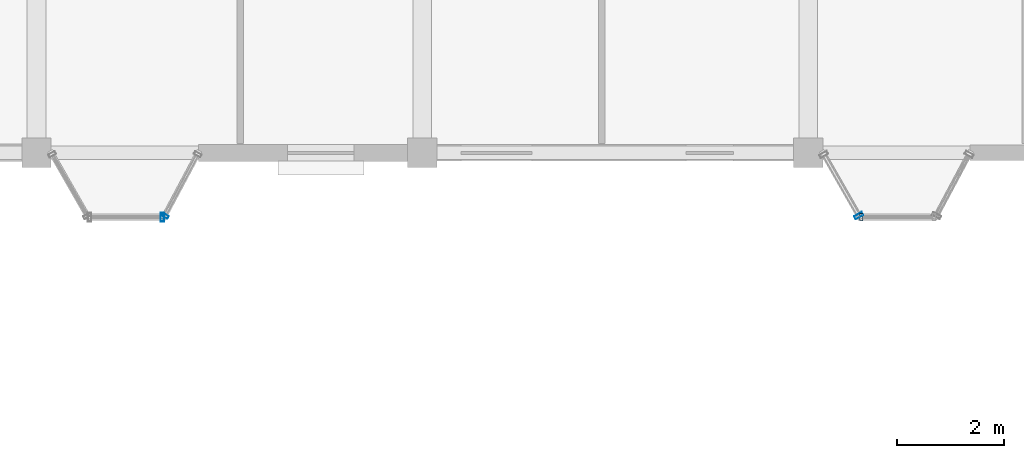
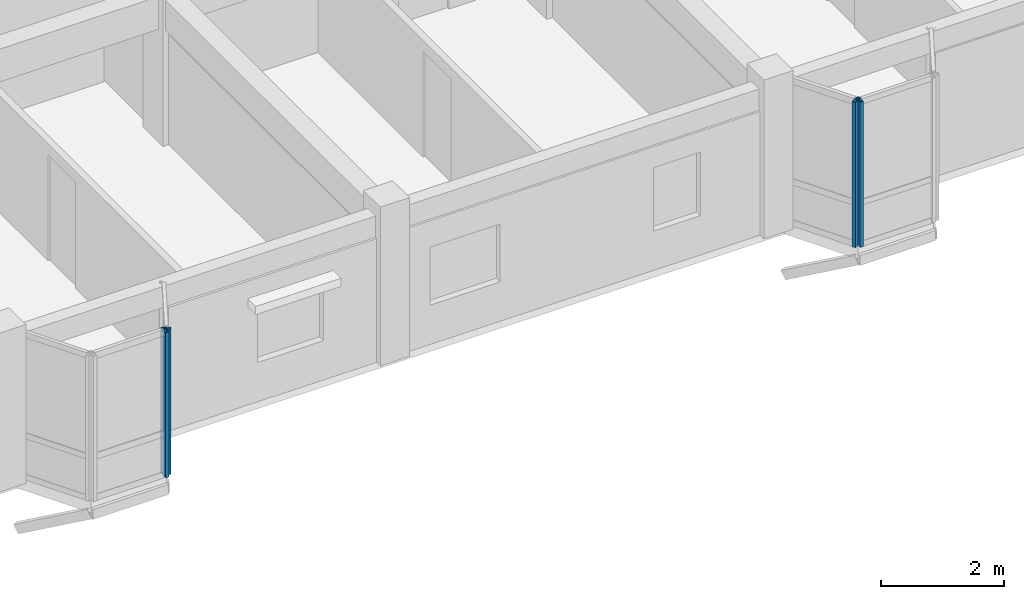
# One storey, part 37 of 77: 4 members, 4 elements without a shape of their own.
"""IFC4 building model written with IfcOpenShell, lengths in metres."""

from ifc_helpers import new_model, si_unit, direction, frame, origin, origin_2d, place, context, subcontext, project, spatial, hollow_rectangle, extrude, material, layer, layer_set, material_profile, profile_set, type_object, element, aggregate, save


model = new_model("IFC4")

# Units and contexts
model_context = context("Model", 3, precision=1e-05, world=origin(), true_north=direction((0.0, 1.0)))
body_context = subcontext(model_context, "Body", "Model", "MODEL_VIEW")
ifc_project = project(units=[si_unit("LENGTHUNIT", "METRE"), si_unit("AREAUNIT", "SQUARE_METRE"), si_unit("VOLUMEUNIT", "CUBIC_METRE"), si_unit("PLANEANGLEUNIT", "RADIAN"), si_unit("MASSUNIT", "GRAM", prefix="KILO"), si_unit("THERMODYNAMICTEMPERATUREUNIT", "KELVIN"), si_unit("POWERUNIT", "WATT")], contexts=[model_context])

# Site, building, storey
site_placement = place(None, origin())
site = spatial("IfcSite", under=ifc_project, at=site_placement, CompositionType="ELEMENT")
building_placement = place(site_placement, origin())
building = spatial("IfcBuilding", under=site, at=building_placement, Name="Tavuni Mirador Residences", CompositionType="ELEMENT")
storey_placement = place(building_placement, frame((0.0, 0.0, 17.10009765625)))
storey = spatial("IfcBuildingStorey", under=building, at=storey_placement, Name="L05", CompositionType="ELEMENT", Elevation=17.10009765625)

# Curtain wall, member
ifc_material = material(Name="Anodised aluminium", Category="aluminium")
ifc_layer_1 = layer(ifc_material, 0.175048828125, Name="Anodised aluminium", Category="aluminium")
ifc_layer_set_1 = layer_set([ifc_layer_1], Name="Anodised aluminium")
curtain_wall_type_1 = type_object("IfcCurtainWallType", Name="CWT-MIR-C", PredefinedType="NOTDEFINED", material=ifc_layer_set_1)
curtain_wall_1_placement = place(storey_placement, origin())
curtain_wall_1 = element("IfcCurtainWall", 1, at=curtain_wall_1_placement, inside=storey, type_object=curtain_wall_type_1, Name="CW-MIR-C-S2-L05-M2", PredefinedType="NOTDEFINED")
ifc_material_profile_1 = material_profile(ifc_material, hollow_rectangle(XDim=0.06005859375, YDim=0.139892578125, WallThickness=0.00390625, at=origin_2d()), Name="ALU 60x140x4.0", Category="aluminium")
ifc_profile_set_1 = profile_set([ifc_material_profile_1], Name="Anodised aluminium")
member_type_1 = type_object("IfcMemberType", Name="CWM-140", PredefinedType="MULLION", material=ifc_profile_set_1)
member_1_placement = place(storey_placement, frame((34.794189453125, 142.826416015625, 0.0), z_axis=(0.0, 0.0, 1.0), x_axis=(0.470588235296, 0.882352941175, 0.0)))
member_1 = element("IfcMember", 2, at=member_1_placement, type_object=member_type_1, Name="CW-03 mullion 1", PredefinedType="MULLION", context=body_context, shape_type="SweptSolid", body=[
    extrude(hollow_rectangle(XDim=0.06005859375, YDim=0.139892578125, WallThickness=0.00390625, at=origin_2d()), origin(), (0.0, 0.0, 1.0), 2.885009765625),
])
aggregate(curtain_wall_1, [member_1])

ifc_layer_2 = layer(ifc_material, 0.1650390625, Name="Anodised aluminium", Category="aluminium")
ifc_layer_set_2 = layer_set([ifc_layer_2], Name="Anodised aluminium")
curtain_wall_type_2 = type_object("IfcCurtainWallType", Name="CWT-MIR-A", PredefinedType="NOTDEFINED", material=ifc_layer_set_2)
curtain_wall_2_placement = place(storey_placement, origin())
curtain_wall_2 = element("IfcCurtainWall", 3, at=curtain_wall_2_placement, inside=storey, type_object=curtain_wall_type_2, Name="CW-MIR-C-S3-L05-MF", PredefinedType="NOTDEFINED")
member_2_placement = place(storey_placement, frame((47.7900390625, 142.800048828125, 0.0), z_axis=(0.0, 0.0, 1.0), x_axis=(1.0, 0.0, 0.0)))
member_2 = element("IfcMember", 4, at=member_2_placement, type_object=member_type_1, Name="CW-01 mullion 1", PredefinedType="MULLION", context=body_context, shape_type="SweptSolid", body=[
    extrude(hollow_rectangle(XDim=0.06005859375, YDim=0.139892578125, WallThickness=0.00390625, at=origin_2d()), origin(), (0.0, 0.0, 1.0), 2.885009765625),
])
aggregate(curtain_wall_2, [member_2])

ifc_layer_3 = layer(ifc_material, 0.14990234375, Name="Anodised aluminium", Category="aluminium")
ifc_layer_set_3 = layer_set([ifc_layer_3], Name="Anodised aluminium")
curtain_wall_type_3 = type_object("IfcCurtainWallType", Name="CWT-MIR-B", PredefinedType="NOTDEFINED", material=ifc_layer_set_3)
curtain_wall_3_placement = place(storey_placement, origin())
curtain_wall_3 = element("IfcCurtainWall", 5, at=curtain_wall_3_placement, inside=storey, type_object=curtain_wall_type_3, Name="CW-MIR-C-S2-L05-MF", PredefinedType="NOTDEFINED")
ifc_material_profile_2 = material_profile(ifc_material, hollow_rectangle(XDim=0.06494140625, YDim=0.1650390625, WallThickness=0.00439453125, at=origin_2d()), Name="ALU 65x165x4.5", Category="aluminium")
ifc_profile_set_2 = profile_set([ifc_material_profile_2], Name="Anodised aluminium")
member_type_2 = type_object("IfcMemberType", Name="CWM-165", PredefinedType="MULLION", material=ifc_profile_set_2)
member_3_placement = place(storey_placement, frame((34.74755859375, 142.800048828125, 0.0), z_axis=(0.0, 0.0, 1.0), x_axis=(1.0, 0.0, 0.0)))
member_3 = element("IfcMember", 6, at=member_3_placement, type_object=member_type_2, Name="CW-02 mullion 2", PredefinedType="MULLION", context=body_context, shape_type="SweptSolid", body=[
    extrude(hollow_rectangle(XDim=0.06494140625, YDim=0.1650390625, WallThickness=0.00439453125, at=origin_2d()), origin(), (0.0, 0.0, 1.0), 2.885009765625),
])
aggregate(curtain_wall_3, [member_3])

ifc_layer_4 = layer(ifc_material, 0.159912109375, Name="Anodised aluminium", Category="aluminium")
ifc_layer_set_4 = layer_set([ifc_layer_4], Name="Anodised aluminium")
curtain_wall_type_4 = type_object("IfcCurtainWallType", Name="CWT-MIR-D", PredefinedType="NOTDEFINED", material=ifc_layer_set_4)
curtain_wall_4_placement = place(storey_placement, origin())
curtain_wall_4 = element("IfcCurtainWall", 7, at=curtain_wall_4_placement, inside=storey, type_object=curtain_wall_type_4, Name="CW-MIR-C-S3-L05-M1", PredefinedType="NOTDEFINED")
member_4_placement = place(storey_placement, frame((47.743896484375, 142.828125, 0.0), z_axis=(0.0, 0.0, 1.0), x_axis=(0.495749192217, -0.868465738194, 0.0)))
member_4 = element("IfcMember", 8, at=member_4_placement, type_object=member_type_2, Name="CW-04 mullion 2", PredefinedType="MULLION", context=body_context, shape_type="SweptSolid", body=[
    extrude(hollow_rectangle(XDim=0.06494140625, YDim=0.1650390625, WallThickness=0.00439453125, at=origin_2d()), origin(), (0.0, 0.0, 1.0), 2.885009765625),
])
aggregate(curtain_wall_4, [member_4])

save(model, "model.ifc")
